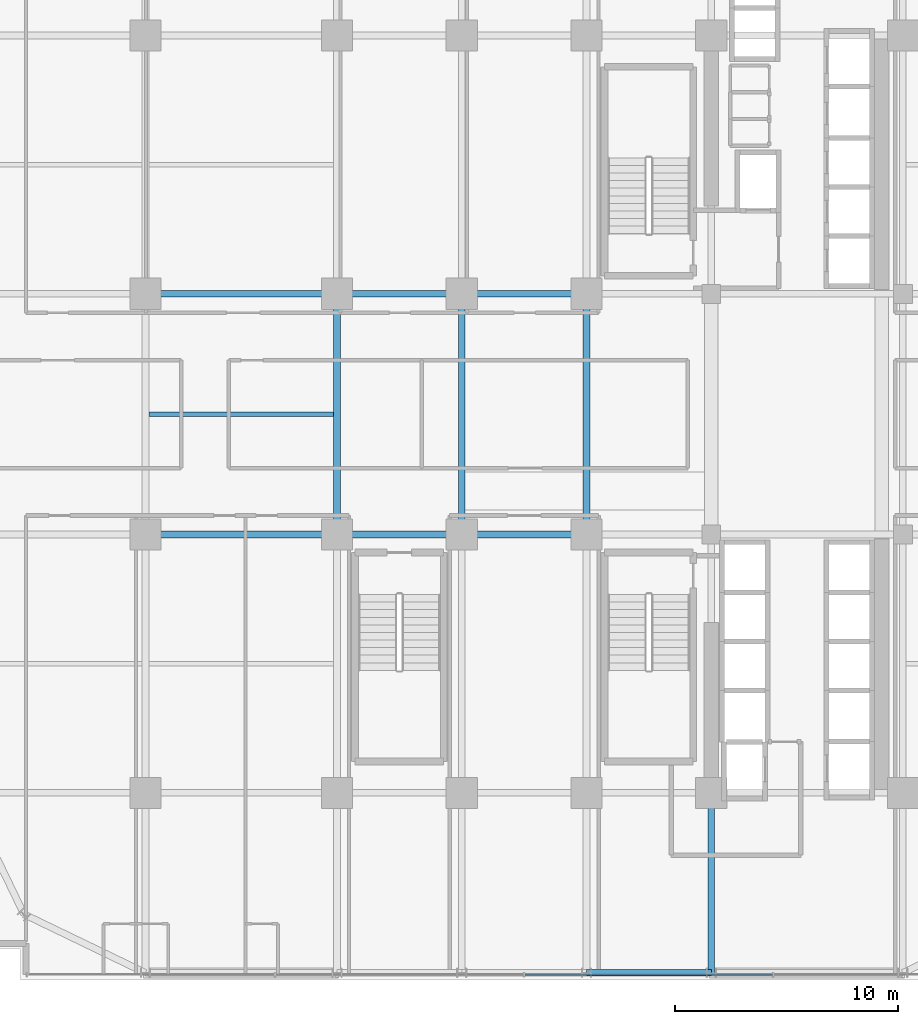
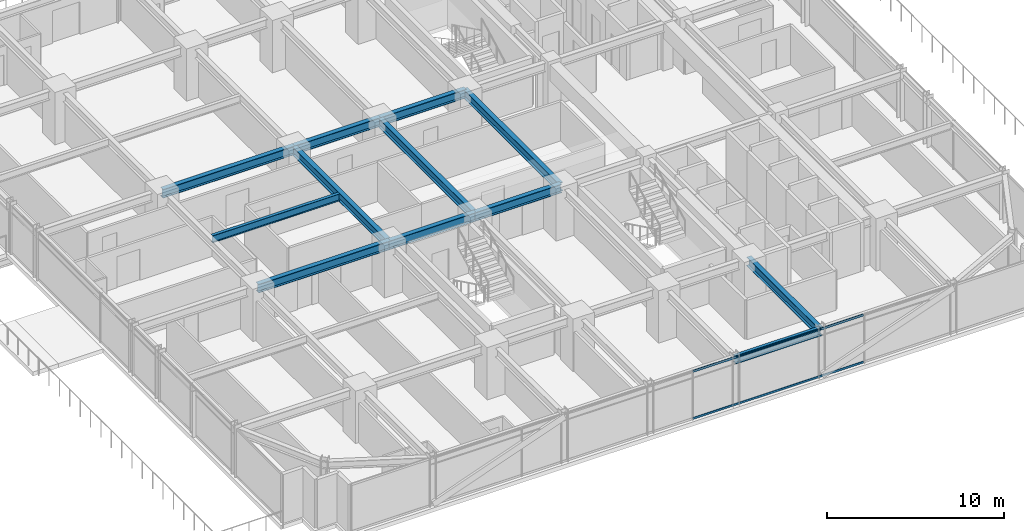
# One storey, part 11 of 39: 12 beams, 2 members, 1 element without a shape of its own.
"""IFC4 building model written with IfcOpenShell, lengths in metres."""

from ifc_helpers import new_model, si_unit, direction, frame, origin, origin_2d, place, context, subcontext, project, spatial, hollow_rectangle, i_section, extrude, source, transform, mapped, material, material_profile, profile_set, type_object, element, aggregate, save


model = new_model("IFC4")

# Units and contexts
model_context = context("Model", 3, precision=1e-05, world=origin(), true_north=direction((0.0, 1.0)))
body_context = subcontext(model_context, "Body", "Model", "MODEL_VIEW")
ifc_project = project(units=[si_unit("LENGTHUNIT", "METRE"), si_unit("AREAUNIT", "SQUARE_METRE"), si_unit("VOLUMEUNIT", "CUBIC_METRE"), si_unit("PLANEANGLEUNIT", "RADIAN"), si_unit("MASSUNIT", "GRAM", prefix="KILO")], contexts=[model_context])

# Site, building, storey
site_placement = place(None, origin())
site = spatial("IfcSite", under=ifc_project, at=site_placement, CompositionType="ELEMENT")
building_placement = place(site_placement, origin())
building = spatial("IfcBuilding", under=site, at=building_placement, Name="Nahalor Promenade Grand Hotel", CompositionType="ELEMENT")
storey_placement = place(building_placement, frame((0.0, 0.0, 32.39990234375)))
storey = spatial("IfcBuildingStorey", under=building, at=storey_placement, Name="L06", CompositionType="ELEMENT", Elevation=32.39990234375)

# Beams
ifc_material_1 = material(Name="Steel S355JR", Category="steel")
ifc_material_profile_1 = material_profile(ifc_material_1, i_section(OverallWidth=0.3, OverallDepth=0.6, WebThickness=0.0155, FlangeThickness=0.03, at=origin_2d()), Name="HEB 600")
ifc_profile_set_1 = profile_set([ifc_material_profile_1], Name="Steel S355JR")
beam_type_1 = type_object("IfcBeamType", Name="Beam-Girder-HEB600", PredefinedType="BEAM", material=ifc_profile_set_1)
shared_shape_1 = source(origin(), body_context, "Body", "SweptSolid", [
    extrude(i_section(OverallWidth=0.3, OverallDepth=0.6, WebThickness=0.0155, FlangeThickness=0.03, at=origin_2d()), origin(), (0.0, 0.0, 1.0), 8.60009765625),
])
for number, where, z_axis, x_axis, name in (
    (1, (-17.0, -5.39990234375, 3.070068359375), (1.0, 0.0, 0.0), (0.0, 1.0, 0.0), "BM-L06-GX-1-1"),
    (2, (-17.0, 5.39990234375, 3.070068359375), (1.0, 0.0, 0.0), (0.0, 1.0, 0.0), "BM-L06-GX-2-1"),
):
    element("IfcBeam", number, at=place(storey_placement, frame(where, z_axis=z_axis, x_axis=x_axis)), inside=storey, type_object=beam_type_1, Name=name, PredefinedType="BEAM", context=body_context, shape_type="MappedRepresentation", body=[
        mapped(shared_shape_1, transform((0.0, 0.0, 0.0), scale=1.0)),
    ])
shared_shape_2 = source(origin(), body_context, "Body", "SweptSolid", [
    extrude(i_section(OverallWidth=0.3, OverallDepth=0.6, WebThickness=0.0155, FlangeThickness=0.03, at=origin_2d()), origin(), (0.0, 0.0, 1.0), 5.599853515625),
])
for number, where, z_axis, x_axis, name in (
    (3, (-8.39990234375, -5.39990234375, 3.070068359375), (1.0, 0.0, 0.0), (0.0, 1.0, 0.0), "BM-L06-GX-1-2"),
    (4, (-8.39990234375, 5.39990234375, 3.070068359375), (1.0, 0.0, 0.0), (0.0, 1.0, 0.0), "BM-L06-GX-2-2"),
):
    element("IfcBeam", number, at=place(storey_placement, frame(where, z_axis=z_axis, x_axis=x_axis)), inside=storey, type_object=beam_type_1, Name=name, PredefinedType="BEAM", context=body_context, shape_type="MappedRepresentation", body=[
        mapped(shared_shape_2, transform((0.0, 0.0, 0.0), scale=1.0)),
    ])
shared_shape_3 = source(origin(), body_context, "Body", "SweptSolid", [
    extrude(i_section(OverallWidth=0.3, OverallDepth=0.6, WebThickness=0.0155, FlangeThickness=0.03, at=origin_2d()), origin(), (0.0, 0.0, 1.0), 5.60009765625),
])
for number, where, z_axis, x_axis, name in (
    (5, (-2.800048828125, -5.39990234375, 3.070068359375), (1.0, 0.0, 0.0), (0.0, 1.0, 0.0), "BM-L06-GX-1-3"),
    (6, (-2.800048828125, 5.39990234375, 3.070068359375), (1.0, 0.0, 0.0), (0.0, 1.0, 0.0), "BM-L06-GX-2-3"),
):
    element("IfcBeam", number, at=place(storey_placement, frame(where, z_axis=z_axis, x_axis=x_axis)), inside=storey, type_object=beam_type_1, Name=name, PredefinedType="BEAM", context=body_context, shape_type="MappedRepresentation", body=[
        mapped(shared_shape_3, transform((0.0, 0.0, 0.0), scale=1.0)),
    ])
shared_shape_4 = source(origin(), body_context, "Body", "SweptSolid", [
    extrude(i_section(OverallWidth=0.3, OverallDepth=0.6, WebThickness=0.0155, FlangeThickness=0.03, at=origin_2d()), origin(), (0.0, 0.0, 1.0), 10.7998046875),
])
for number, where, z_axis, x_axis, name in (
    (7, (-8.39990234375, -5.39990234375, 3.070068359375), (0.0, 1.0, 0.0), (-1.0, 0.0, 0.0), "BM-L06-GY-1-2"),
    (8, (-2.800048828125, -5.39990234375, 3.070068359375), (0.0, 1.0, 0.0), (-1.0, 0.0, 0.0), "BM-L06-GY-2-2"),
    (9, (2.800048828125, -5.39990234375, 3.070068359375), (0.0, 1.0, 0.0), (-1.0, 0.0, 0.0), "BM-L06-GY-3-2"),
):
    element("IfcBeam", number, at=place(storey_placement, frame(where, z_axis=z_axis, x_axis=x_axis)), inside=storey, type_object=beam_type_1, Name=name, PredefinedType="BEAM", context=body_context, shape_type="MappedRepresentation", body=[
        mapped(shared_shape_4, transform((0.0, 0.0, 0.0), scale=1.0)),
    ])
ifc_material_profile_2 = material_profile(ifc_material_1, i_section(OverallWidth=0.3, OverallDepth=0.5, WebThickness=0.0145, FlangeThickness=0.028, at=origin_2d()), Name="HEB 500")
ifc_profile_set_2 = profile_set([ifc_material_profile_2], Name="Steel S355JR")
beam_type_2 = type_object("IfcBeamType", Name="Beam-Spandrel-HEB500", PredefinedType="SPANDREL", material=ifc_profile_set_2)
shared_shape_5 = source(origin(), body_context, "Body", "SweptSolid", [
    extrude(i_section(OverallWidth=0.3, OverallDepth=0.5, WebThickness=0.0145, FlangeThickness=0.028, at=origin_2d()), origin(), (0.0, 0.0, 1.0), 5.599853515625),
])
beam_1_placement = place(storey_placement, frame((2.800048828125, -25.080078125, 3.1201171875), z_axis=(1.0, 0.0, 0.0), x_axis=(0.0, 1.0, 0.0)))
element("IfcBeam", 10, at=beam_1_placement, inside=storey, type_object=beam_type_2, Name="BM-L06-SP-S-3", PredefinedType="SPANDREL", context=body_context, shape_type="MappedRepresentation", body=[
    mapped(shared_shape_5, transform((0.0, 0.0, 0.0), scale=1.0)),
])
ifc_material_profile_3 = material_profile(ifc_material_1, i_section(OverallWidth=0.2, OverallDepth=0.5, WebThickness=0.0102, FlangeThickness=0.016, at=origin_2d()), Name="IPE 500")
ifc_profile_set_3 = profile_set([ifc_material_profile_3], Name="Steel S355JR")
beam_type_3 = type_object("IfcBeamType", Name="Beam-Joist-IPE500", PredefinedType="JOIST", material=ifc_profile_set_3)
shared_shape_6 = source(origin(), body_context, "Body", "SweptSolid", [
    extrude(i_section(OverallWidth=0.2, OverallDepth=0.5, WebThickness=0.0102, FlangeThickness=0.016, at=origin_2d()), origin(), (0.0, 0.0, 1.0), 8.300048828125),
])
beam_2_placement = place(storey_placement, frame((-16.85009765625, 0.0, 3.1201171875), z_axis=(1.0, 0.0, 0.0), x_axis=(0.0, 1.0, 0.0)))
element("IfcBeam", 11, at=beam_2_placement, inside=storey, type_object=beam_type_3, Name="BM-L06-JSC-0", PredefinedType="JOIST", context=body_context, shape_type="MappedRepresentation", body=[
    mapped(shared_shape_6, transform((0.0, 0.0, 0.0), scale=1.0)),
])
shared_shape_7 = source(origin(), body_context, "Body", "SweptSolid", [
    extrude(i_section(OverallWidth=0.3, OverallDepth=0.6, WebThickness=0.0155, FlangeThickness=0.03, at=origin_2d()), origin(), (0.0, 0.0, 1.0), 8.080078125),
])
beam_3_placement = place(storey_placement, frame((8.39990234375, -25.080078125, 3.070068359375), z_axis=(0.0, 1.0, 0.0), x_axis=(-1.0, 0.0, 0.0)))
element("IfcBeam", 12, at=beam_3_placement, inside=storey, type_object=beam_type_1, Name="BM-L06-GY-4-0", PredefinedType="BEAM", context=body_context, shape_type="MappedRepresentation", body=[
    mapped(shared_shape_7, transform((0.0, 0.0, 0.0), scale=1.0)),
])

# Curtain wall, members
ifc_material_2 = material(Name="Anodised Bronze Aluminium EN AW-6063 T6", Category="aluminium")
curtain_wall_type = type_object("IfcCurtainWallType", Name="CW2 Typical Hotel Flush Bronze Unitised Curtain Wall", PredefinedType="USERDEFINED", material=ifc_material_2)
curtain_wall_placement = place(storey_placement, origin())
curtain_wall = element("IfcCurtainWall", 13, at=curtain_wall_placement, inside=storey, type_object=curtain_wall_type, Name="L06 Curtain Wall CW-L06-S-1", ObjectType="UNITISED_CURTAIN_WALL", PredefinedType="USERDEFINED")
ifc_material_profile_4 = material_profile(ifc_material_2, hollow_rectangle(XDim=0.065, YDim=0.13, WallThickness=0.004, at=origin_2d()), Name="CWT 65x130x4")
ifc_profile_set_4 = profile_set([ifc_material_profile_4], Name="Anodised Bronze Aluminium EN AW-6063 T6")
member_type = type_object("IfcMemberType", Name="CWT2 Typical Bronze Transom 65x130", PredefinedType="USERDEFINED", material=ifc_profile_set_4)
shared_shape_8 = source(origin(), body_context, "Body", "SweptSolid", [
    extrude(hollow_rectangle(XDim=0.065, YDim=0.13, WallThickness=0.004, at=origin_2d()), origin(), (0.0, 0.0, 1.0), 11.114990234375),
])
member_1_placement = place(storey_placement, frame((0.032470703125, -25.159912109375, 0.065185546875), z_axis=(1.0, 0.0, 0.0), x_axis=(0.0, 1.0, 0.0)))
member_1 = element("IfcMember", 14, at=member_1_placement, type_object=member_type, Name="CW-L06-S-1 Transom 2-0", ObjectType="TRANSOM", PredefinedType="USERDEFINED", context=body_context, shape_type="MappedRepresentation", body=[
    mapped(shared_shape_8, transform((0.0, 0.0, 0.0), scale=1.0)),
])
member_2_placement = place(storey_placement, frame((0.032470703125, -25.159912109375, 3.30517578125), z_axis=(1.0, 0.0, 0.0), x_axis=(0.0, 1.0, 0.0)))
member_2 = element("IfcMember", 15, at=member_2_placement, type_object=member_type, Name="CW-L06-S-1 Transom 2-1", ObjectType="TRANSOM", PredefinedType="USERDEFINED", context=body_context, shape_type="MappedRepresentation", body=[
    mapped(shared_shape_8, transform((0.0, 0.0, 0.0), scale=1.0)),
])
aggregate(curtain_wall, [member_1, member_2])

save(model, "model.ifc")
